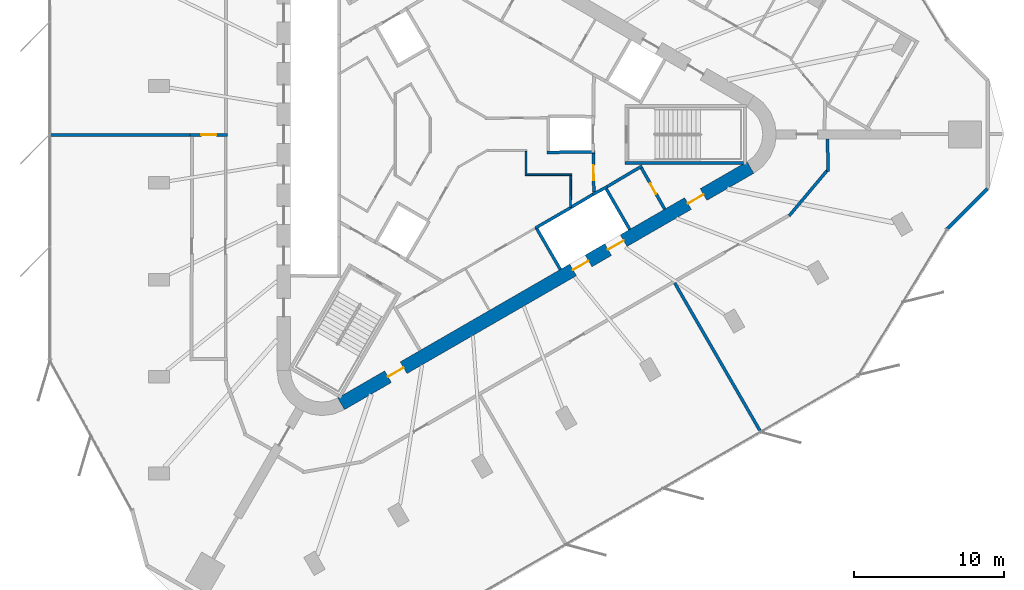
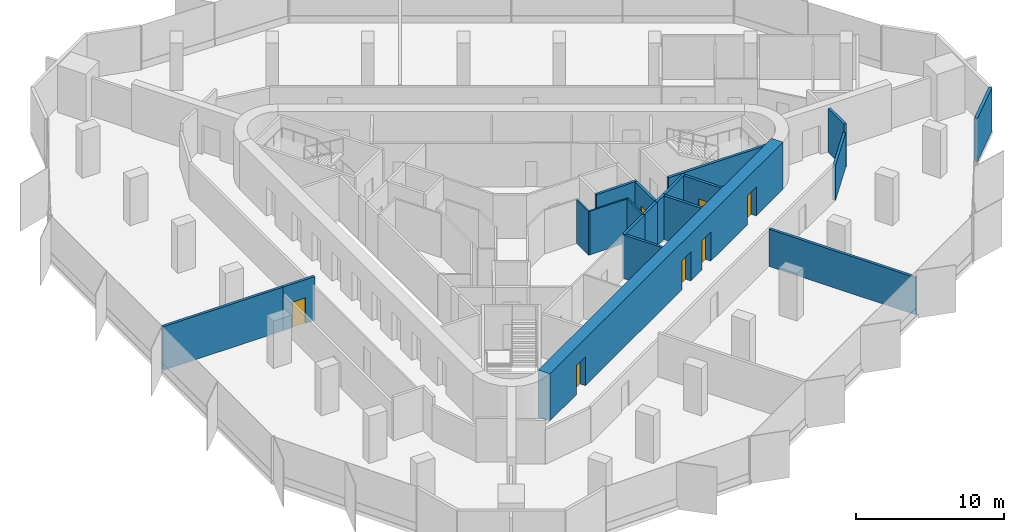
# One storey, part 8 of 12: 20 walls, 7 doors, 7 openings.
"""IFC4 building model written with IfcOpenShell, lengths in metres."""

from ifc_helpers import new_model, si_unit, direction, frame, frame_2d, origin, place, context, subcontext, project, spatial, rectangle, extrude, material, layer, layer_set, type_object, element, fill, save


model = new_model("IFC4")

# Units and contexts
model_context = context("Model", 3, precision=1e-05, world=origin(), true_north=direction((0.0, 1.0)))
body_context = subcontext(model_context, "Body", "Model", "MODEL_VIEW")
ifc_project = project(units=[si_unit("LENGTHUNIT", "METRE"), si_unit("AREAUNIT", "SQUARE_METRE"), si_unit("VOLUMEUNIT", "CUBIC_METRE"), si_unit("PLANEANGLEUNIT", "RADIAN"), si_unit("MASSUNIT", "GRAM", prefix="KILO")], contexts=[model_context])

# Site, building, storey
site_placement = place(None, origin())
site = spatial("IfcSite", under=ifc_project, at=site_placement, CompositionType="ELEMENT")
building_placement = place(site_placement, origin())
building = spatial("IfcBuilding", under=site, at=building_placement, Name="Tanit Gate Tower", CompositionType="ELEMENT")
storey_placement = place(building_placement, frame((0.0, 0.0, 341.60009765625)))
storey = spatial("IfcBuildingStorey", under=building, at=storey_placement, Name="L77", CompositionType="ELEMENT", Elevation=341.60009765625)

# Wall, openings, doors
ifc_material_1 = material(Name="Concrete C40/50", Category="concrete")
ifc_layer_1 = layer(ifc_material_1, 0.89990234375)
ifc_layer_set_1 = layer_set([ifc_layer_1], Name="CORE WALL 900 C40/50")
wall_type_1 = type_object("IfcWallType", Name="CORE WALL 900 C40/50", PredefinedType="SHEAR", material=ifc_layer_set_1)
wall_1_placement = place(storey_placement, frame((-7.824951171875, -17.969970703125, 0.0), z_axis=(0.0, 0.0, 1.0), x_axis=(0.866028369851, 0.499994862586, 0.0)))
wall_1 = element("IfcWall", 1, at=wall_1_placement, inside=storey, type_object=wall_type_1, Name="CORE WALL", PredefinedType="SHEAR", context=body_context, shape_type="SweptSolid", body=[
    extrude(rectangle(XDim=31.523193359375, YDim=0.89990234375, at=frame_2d((15.76171875, 0.0))), origin(), (0.0, 0.0, 1.0), 3.89990234375),
])
opening_1_placement = place(wall_1_placement, frame((17.861572265625, 0.0, 0.0)))
opening_1 = element("IfcOpeningElement", 2, at=opening_1_placement, cuts=wall_1, Name="Opening LDSV1-S21", PredefinedType="OPENING", context=body_context, shape_type="SweptSolid", body=[
    extrude(rectangle(XDim=1.199951171875, YDim=2.39990234375, at=frame_2d((0.60009765625, 1.199951171875))), frame((0.0, 0.4599609375, 0.0), z_axis=(0.0, -1.0, 0.0), x_axis=(1.0, 0.0, 0.0)), (0.0, 0.0, 1.0), 0.919921875),
])
opening_2_placement = place(wall_1_placement, frame((20.561767578125, 0.0, 0.0)))
opening_2 = element("IfcOpeningElement", 3, at=opening_2_placement, cuts=wall_1, Name="Opening LDSV2-S21", PredefinedType="OPENING", context=body_context, shape_type="SweptSolid", body=[
    extrude(rectangle(XDim=1.199951171875, YDim=2.39990234375, at=frame_2d((0.60009765625, 1.199951171875))), frame((0.0, 0.4599609375, 0.0), z_axis=(0.0, -1.0, 0.0), x_axis=(1.0, 0.0, 0.0)), (0.0, 0.0, 1.0), 0.919921875),
])
opening_3_placement = place(wall_1_placement, frame((26.711669921875, 0.0, 0.0)))
opening_3 = element("IfcOpeningElement", 4, at=opening_3_placement, cuts=wall_1, Name="Opening F12-S21-S1", PredefinedType="OPENING", context=body_context, shape_type="SweptSolid", body=[
    extrude(rectangle(XDim=1.199951171875, YDim=2.39990234375, at=frame_2d((0.60009765625, 1.199951171875))), frame((0.0, 0.4599609375, 0.0), z_axis=(0.0, -1.0, 0.0), x_axis=(1.0, 0.0, 0.0)), (0.0, 0.0, 1.0), 0.919921875),
])
opening_4_placement = place(wall_1_placement, frame((3.611572265625, 0.0, 0.0)))
opening_4 = element("IfcOpeningElement", 5, at=opening_4_placement, cuts=wall_1, Name="Opening F12-S21-FL3", PredefinedType="OPENING", context=body_context, shape_type="SweptSolid", body=[
    extrude(rectangle(XDim=1.199951171875, YDim=2.39990234375, at=frame_2d((0.60009765625, 1.199951171875))), frame((0.0, 0.4599609375, 0.0), z_axis=(0.0, -1.0, 0.0), x_axis=(1.0, 0.0, 0.0)), (0.0, 0.0, 1.0), 0.919921875),
])
ifc_material_2 = material(Name="Fire-rated steel door leaf", Category="steel")
door_type_1 = type_object("IfcDoorType", Name="INT-DOOR-FIRE-LOBBY-1200", OperationType="NOTDEFINED", PredefinedType="USERDEFINED", material=ifc_material_2)
door_1_placement = place(opening_3_placement, origin())
door_1 = element("IfcDoor", 6, at=door_1_placement, inside=storey, type_object=door_type_1, Name="Door F12-S21-S1", ObjectType="FIRE DOOR", OperationType="SINGLE_SWING_RIGHT", OverallHeight=2.39990234375, OverallWidth=1.199951171875, PredefinedType="USERDEFINED", context=body_context, shape_type="SweptSolid", body=[
    extrude(rectangle(XDim=1.199951171875, YDim=2.39990234375, at=frame_2d((0.60009765625, 1.199951171875))), frame((0.0, 0.02490234375, 0.0), z_axis=(0.0, -1.0, 0.0), x_axis=(1.0, 0.0, 0.0)), (0.0, 0.0, 1.0), 0.050048828125),
])
fill(opening_3, door_1)
door_2_placement = place(opening_4_placement, origin())
door_2 = element("IfcDoor", 7, at=door_2_placement, inside=storey, type_object=door_type_1, Name="Door F12-S21-FL3", ObjectType="FIRE DOOR", OperationType="SINGLE_SWING_RIGHT", OverallHeight=2.39990234375, OverallWidth=1.199951171875, PredefinedType="USERDEFINED", context=body_context, shape_type="SweptSolid", body=[
    extrude(rectangle(XDim=1.199951171875, YDim=2.39990234375, at=frame_2d((0.60009765625, 1.199951171875))), frame((0.0, 0.02490234375, 0.0), z_axis=(0.0, -1.0, 0.0), x_axis=(1.0, 0.0, 0.0)), (0.0, 0.0, 1.0), 0.050048828125),
])
fill(opening_4, door_2)
ifc_material_3 = material(Name="Stainless steel sliding door leaf", Category="steel")
door_type_2 = type_object("IfcDoorType", Name="INT-DOOR-LANDING-1200", OperationType="NOTDEFINED", PredefinedType="USERDEFINED", material=ifc_material_3)
door_3_placement = place(opening_1_placement, origin())
door_3 = element("IfcDoor", 8, at=door_3_placement, inside=storey, type_object=door_type_2, Name="Door LDSV1-S21", ObjectType="LANDING DOOR", OperationType="SLIDING_TO_LEFT", OverallHeight=2.39990234375, OverallWidth=1.199951171875, PredefinedType="USERDEFINED", context=body_context, shape_type="SweptSolid", body=[
    extrude(rectangle(XDim=1.199951171875, YDim=2.39990234375, at=frame_2d((0.60009765625, 1.199951171875))), frame((0.0, 0.02490234375, 0.0), z_axis=(0.0, -1.0, 0.0), x_axis=(1.0, 0.0, 0.0)), (0.0, 0.0, 1.0), 0.050048828125),
])
fill(opening_1, door_3)
door_4_placement = place(opening_2_placement, origin())
door_4 = element("IfcDoor", 9, at=door_4_placement, inside=storey, type_object=door_type_2, Name="Door LDSV2-S21", ObjectType="LANDING DOOR", OperationType="SLIDING_TO_LEFT", OverallHeight=2.39990234375, OverallWidth=1.199951171875, PredefinedType="USERDEFINED", context=body_context, shape_type="SweptSolid", body=[
    extrude(rectangle(XDim=1.199951171875, YDim=2.39990234375, at=frame_2d((0.60009765625, 1.199951171875))), frame((0.0, 0.02490234375, 0.0), z_axis=(0.0, -1.0, 0.0), x_axis=(1.0, 0.0, 0.0)), (0.0, 0.0, 1.0), 0.050048828125),
])
fill(opening_2, door_4)

# Walls
ifc_material_4 = material(Name="Concrete C30/37 with bronze anodised aluminium cladding", Category="concrete")
ifc_layer_2 = layer(ifc_material_4, 0.239990234375)
ifc_layer_set_2 = layer_set([ifc_layer_2], Name="Facade wall bronze clad 240")
wall_type_2 = type_object("IfcWallType", Name="Facade wall bronze clad 240", PredefinedType="SOLIDWALL", material=ifc_layer_set_2)
wall_2_placement = place(storey_placement, frame((32.60791015625, -6.306396484375, 0.0), z_axis=(0.0, 0.0, 1.0), x_axis=(0.707138934827, 0.707074626084, 0.0)))
element("IfcWall", 10, at=wall_2_placement, inside=storey, type_object=wall_type_2, Name="Bronze-clad facade wall L77 E.arc1", PredefinedType="SOLIDWALL", context=body_context, shape_type="SweptSolid", body=[
    extrude(rectangle(XDim=3.79638671875, YDim=0.239990234375, at=frame_2d((1.898193359375, 0.0))), origin(), (0.0, 0.0, 1.0), 3.599853515625),
])
ifc_material_5 = material(Name="Fire-rated gypsum board partition")
ifc_layer_3 = layer(ifc_material_5, 0.199951171875)
ifc_layer_set_3 = layer_set([ifc_layer_3], Name="INT-WALL-COMPARTMENT")
wall_type_3 = type_object("IfcWallType", Name="INT-WALL-COMPARTMENT", PredefinedType="PARTITIONING", material=ifc_layer_set_3)
wall_3_placement = place(storey_placement, frame((12.244873046875, -2.10888671875, 0.0), z_axis=(0.0, 0.0, 1.0), x_axis=(-0.860414880418, -0.509594185166, 0.0)))
element("IfcWall", 11, at=wall_3_placement, inside=storey, type_object=wall_type_3, Name="Wall Compartment W057", PredefinedType="PARTITIONING", context=body_context, shape_type="SweptSolid", body=[
    extrude(rectangle(XDim=2.7001953125, YDim=0.199951171875, at=frame_2d((1.35009765625, 0.0))), origin(), (0.0, 0.0, 1.0), 3.599853515625),
])

# Wall, opening, door
wall_4_placement = place(storey_placement, frame((13.758056640625, -4.989501953125, 0.0), z_axis=(0.0, 0.0, 1.0), x_axis=(-0.491993409184, 0.87059892334, 0.0)))
wall_4 = element("IfcWall", 12, at=wall_4_placement, inside=storey, type_object=wall_type_3, Name="Wall Compartment W058", PredefinedType="PARTITIONING", context=body_context, shape_type="SweptSolid", body=[
    extrude(rectangle(XDim=3.150146484375, YDim=0.199951171875, at=frame_2d((1.5751953125, 0.0))), origin(), (0.0, 0.0, 1.0), 3.599853515625),
])
opening_5_placement = place(wall_4_placement, frame((1.175048828125, 0.0, 0.0)))
opening_5 = element("IfcOpeningElement", 13, at=opening_5_placement, cuts=wall_4, Name="Opening R08-S21-19", PredefinedType="OPENING", context=body_context, shape_type="SweptSolid", body=[
    extrude(rectangle(XDim=0.800048828125, YDim=2.10009765625, at=frame_2d((0.39990234375, 1.050048828125))), frame((0.0, 0.10986328125, 0.0), z_axis=(0.0, -1.0, 0.0), x_axis=(1.0, 0.0, 0.0)), (0.0, 0.0, 1.0), 0.219970703125),
])
ifc_material_6 = material(Name="Timber door leaf", Category="wood")
door_type_3 = type_object("IfcDoorType", Name="INT-DOOR-RISER-800", OperationType="NOTDEFINED", PredefinedType="USERDEFINED", material=ifc_material_6)
door_5_placement = place(opening_5_placement, origin())
door_5 = element("IfcDoor", 14, at=door_5_placement, inside=storey, type_object=door_type_3, Name="Door R08-S21-19", ObjectType="FIRE DOOR", OperationType="SINGLE_SWING_LEFT", OverallHeight=2.10009765625, OverallWidth=0.800048828125, PredefinedType="USERDEFINED", context=body_context, shape_type="SweptSolid", body=[
    extrude(rectangle(XDim=0.800048828125, YDim=2.10009765625, at=frame_2d((0.39990234375, 1.050048828125))), frame((0.0, 0.02490234375, 0.0), z_axis=(0.0, -1.0, 0.0), x_axis=(1.0, 0.0, 0.0)), (0.0, 0.0, 1.0), 0.050048828125),
])
fill(opening_5, door_5)

wall_5_placement = place(storey_placement, frame((9.02880859375, -3.850830078125, 0.0), z_axis=(0.0, 0.0, 1.0), x_axis=(-0.010783593937, 0.99994185536, 0.0)))
wall_5 = element("IfcWall", 15, at=wall_5_placement, inside=storey, type_object=wall_type_3, Name="Wall Compartment W060", PredefinedType="PARTITIONING", context=body_context, shape_type="SweptSolid", body=[
    extrude(rectangle(XDim=2.5810546875, YDim=0.199951171875, at=frame_2d((1.29052734375, 0.0))), origin(), (0.0, 0.0, 1.0), 3.599853515625),
])
opening_6_placement = place(wall_5_placement, frame((0.79052734375, 0.0, 0.0)))
opening_6 = element("IfcOpeningElement", 16, at=opening_6_placement, cuts=wall_5, Name="Opening F10-S21-02", PredefinedType="OPENING", context=body_context, shape_type="SweptSolid", body=[
    extrude(rectangle(XDim=1.0, YDim=2.10009765625, at=frame_2d((0.5, 1.050048828125))), frame((0.0, 0.10986328125, 0.0), z_axis=(0.0, -1.0, 0.0), x_axis=(1.0, 0.0, 0.0)), (0.0, 0.0, 1.0), 0.219970703125),
])
ifc_material_7 = material(Name="Fire-rated steel door leaf", Category="steel")
door_type_4 = type_object("IfcDoorType", Name="INT-DOOR-FIRE-1000", OperationType="NOTDEFINED", PredefinedType="USERDEFINED", material=ifc_material_7)
door_6_placement = place(opening_6_placement, origin())
door_6 = element("IfcDoor", 17, at=door_6_placement, inside=storey, type_object=door_type_4, Name="Door F10-S21-02", ObjectType="FIRE DOOR", OperationType="SINGLE_SWING_LEFT", OverallHeight=2.10009765625, OverallWidth=1.0, PredefinedType="USERDEFINED", context=body_context, shape_type="SweptSolid", body=[
    extrude(rectangle(XDim=1.0, YDim=2.10009765625, at=frame_2d((0.5, 1.050048828125))), frame((0.0, 0.02490234375, 0.0), z_axis=(0.0, -1.0, 0.0), x_axis=(1.0, 0.0, 0.0)), (0.0, 0.0, 1.0), 0.050048828125),
])
fill(opening_6, door_6)

wall_6_placement = place(storey_placement, frame((-15.39990234375, -0.030029296875, 0.0), z_axis=(0.0, 0.0, 1.0), x_axis=(-0.999999957085, -0.000292968737, 0.0)))
wall_6 = element("IfcWall", 18, at=wall_6_placement, inside=storey, type_object=wall_type_3, Name="Wall Compartment W087", PredefinedType="PARTITIONING", context=body_context, shape_type="SweptSolid", body=[
    extrude(rectangle(XDim=2.5, YDim=0.199951171875, at=frame_2d((1.25, 0.0))), origin(), (0.0, 0.0, 1.0), 3.599853515625),
])
opening_7_placement = place(wall_6_placement, frame((0.75, 0.0, 0.0)))
opening_7 = element("IfcOpeningElement", 19, at=opening_7_placement, cuts=wall_6, Name="Opening F10-S21-27", PredefinedType="OPENING", context=body_context, shape_type="SweptSolid", body=[
    extrude(rectangle(XDim=1.0, YDim=2.10009765625, at=frame_2d((0.5, 1.050048828125))), frame((0.0, 0.10986328125, 0.0), z_axis=(0.0, -1.0, 0.0), x_axis=(1.0, 0.0, 0.0)), (0.0, 0.0, 1.0), 0.219970703125),
])
door_7_placement = place(opening_7_placement, origin())
door_7 = element("IfcDoor", 20, at=door_7_placement, inside=storey, type_object=door_type_4, Name="Door F10-S21-27", ObjectType="FIRE DOOR", OperationType="SINGLE_SWING_LEFT", OverallHeight=2.10009765625, OverallWidth=1.0, PredefinedType="USERDEFINED", context=body_context, shape_type="SweptSolid", body=[
    extrude(rectangle(XDim=1.0, YDim=2.10009765625, at=frame_2d((0.5, 1.050048828125))), frame((0.0, 0.02490234375, 0.0), z_axis=(0.0, -1.0, 0.0), x_axis=(1.0, 0.0, 0.0)), (0.0, 0.0, 1.0), 0.050048828125),
])
fill(opening_7, door_7)

# Walls
wall_7_placement = place(storey_placement, frame((24.647705078125, -2.46240234375, 0.0), z_axis=(0.0, 0.0, 1.0), x_axis=(-0.012757232068, 0.999918623204, 0.0)))
element("IfcWall", 21, at=wall_7_placement, inside=storey, type_object=wall_type_3, Name="Wall Compartment W102", PredefinedType="PARTITIONING", context=body_context, shape_type="SweptSolid", body=[
    extrude(rectangle(XDim=2.16259765625, YDim=0.199951171875, at=frame_2d((1.081298828125, 0.0))), origin(), (0.0, 0.0, 1.0), 3.599853515625),
])
wall_8_placement = place(storey_placement, frame((22.05419921875, -5.435302734375, 0.0), z_axis=(0.0, 0.0, 1.0), x_axis=(0.642790979996, 0.766041615081, 0.0)))
element("IfcWall", 22, at=wall_8_placement, inside=storey, type_object=wall_type_3, Name="Wall Compartment W103", PredefinedType="PARTITIONING", context=body_context, shape_type="SweptSolid", body=[
    extrude(rectangle(XDim=3.9833984375, YDim=0.199951171875, at=frame_2d((1.99169921875, 0.0))), origin(), (0.0, 0.0, 1.0), 2.8798828125),
])
wall_9_placement = place(storey_placement, frame((-27.2578125, -0.030029296875, 0.0), z_axis=(0.0, 0.0, 1.0), x_axis=(0.999999996937, -7.8267675e-05, 0.0)))
element("IfcWall", 23, at=wall_9_placement, inside=storey, type_object=wall_type_3, Name="Wall Compartment W109", PredefinedType="PARTITIONING", context=body_context, shape_type="SweptSolid", body=[
    extrude(rectangle(XDim=9.35791015625, YDim=0.199951171875, at=frame_2d((4.678955078125, 0.0))), origin(), (0.0, 0.0, 1.0), 3.599853515625),
])
wall_10_placement = place(storey_placement, frame((14.42529296875, -9.915771484375, 0.0), z_axis=(0.0, 0.0, 1.0), x_axis=(0.499943167381, -0.866058213626, 0.0)))
element("IfcWall", 24, at=wall_10_placement, inside=storey, type_object=wall_type_3, Name="Wall Compartment W124", PredefinedType="PARTITIONING", context=body_context, shape_type="SweptSolid", body=[
    extrude(rectangle(XDim=11.458251953125, YDim=0.199951171875, at=frame_2d((5.72900390625, 0.0))), origin(), (0.0, 0.0, 1.0), 3.06982421875),
])
ifc_material_8 = material(Name="Gypsum board partition")
ifc_layer_4 = layer(ifc_material_8, 0.1201171875)
ifc_layer_set_4 = layer_set([ifc_layer_4], Name="INT-WALL-PARTITION")
wall_type_4 = type_object("IfcWallType", Name="INT-WALL-PARTITION", PredefinedType="PARTITIONING", material=ifc_layer_set_4)
wall_11_placement = place(storey_placement, frame((4.5, -2.760009765625, 0.0), z_axis=(0.0, 0.0, 1.0), x_axis=(0.0, 1.0, 0.0)))
element("IfcWall", 25, at=wall_11_placement, inside=storey, type_object=wall_type_4, Name="Wall Partition W071", PredefinedType="PARTITIONING", context=body_context, shape_type="SweptSolid", body=[
    extrude(rectangle(XDim=1.625, YDim=0.1201171875, at=frame_2d((0.8125, 0.0))), origin(), (0.0, 0.0, 1.0), 3.599853515625),
])
wall_12_placement = place(storey_placement, frame((7.56005859375, -2.699951171875, 0.0), z_axis=(0.0, 0.0, 1.0), x_axis=(-1.0, 0.0, 0.0)))
element("IfcWall", 26, at=wall_12_placement, inside=storey, type_object=wall_type_4, Name="Wall Partition W072", PredefinedType="PARTITIONING", context=body_context, shape_type="SweptSolid", body=[
    extrude(rectangle(XDim=3.0, YDim=0.1201171875, at=frame_2d((1.5, 0.0))), origin(), (0.0, 0.0, 1.0), 3.599853515625),
])
wall_13_placement = place(storey_placement, frame((7.474609375, -4.864501953125, 0.0), z_axis=(0.0, 0.0, 1.0), x_axis=(0.011716133148, 0.999931363757, 0.0)))
element("IfcWall", 27, at=wall_13_placement, inside=storey, type_object=wall_type_4, Name="Wall Partition W073", PredefinedType="PARTITIONING", context=body_context, shape_type="SweptSolid", body=[
    extrude(rectangle(XDim=2.104736328125, YDim=0.1201171875, at=frame_2d((1.05224609375, 0.0))), origin(), (0.0, 0.0, 1.0), 3.599853515625),
])
ifc_material_9 = material(Name="Gypsum shaft wall system")
ifc_layer_5 = layer(ifc_material_9, 0.199951171875)
ifc_layer_set_5 = layer_set([ifc_layer_5], Name="INT-WALL-SHAFT")
wall_type_5 = type_object("IfcWallType", Name="INT-WALL-SHAFT", PredefinedType="PLUMBINGWALL", material=ifc_layer_set_5)
wall_14_placement = place(storey_placement, frame((6.795166015625, -9.009521484375, 0.0), z_axis=(0.0, 0.0, 1.0), x_axis=(-0.499984717929, 0.866034226713, 0.0)))
element("IfcWall", 28, at=wall_14_placement, inside=storey, type_object=wall_type_5, Name="Wall Shaft W015", PredefinedType="PLUMBINGWALL", context=body_context, shape_type="SweptSolid", body=[
    extrude(rectangle(XDim=3.25, YDim=0.199951171875, at=frame_2d((1.625, 0.0))), origin(), (0.0, 0.0, 1.0), 3.599853515625),
])
wall_15_placement = place(storey_placement, frame((5.1591796875, -6.23583984375, 0.0), z_axis=(0.0, 0.0, 1.0), x_axis=(0.866036505625, 0.499980770555, 0.0)))
element("IfcWall", 29, at=wall_15_placement, inside=storey, type_object=wall_type_5, Name="Wall Shaft W016", PredefinedType="PLUMBINGWALL", context=body_context, shape_type="SweptSolid", body=[
    extrude(rectangle(XDim=2.69970703125, YDim=0.199951171875, at=frame_2d((1.349853515625, 0.0))), origin(), (0.0, 0.0, 1.0), 3.599853515625),
])
wall_16_placement = place(storey_placement, frame((9.794677734375, -3.52490234375, 0.0), z_axis=(0.0, 0.0, 1.0), x_axis=(0.499984717929, -0.866034226713, 0.0)))
element("IfcWall", 30, at=wall_16_placement, inside=storey, type_object=wall_type_5, Name="Wall Shaft W017", PredefinedType="PLUMBINGWALL", context=body_context, shape_type="SweptSolid", body=[
    extrude(rectangle(XDim=3.25, YDim=0.199951171875, at=frame_2d((1.625, 0.0))), origin(), (0.0, 0.0, 1.0), 3.599853515625),
])
wall_17_placement = place(storey_placement, frame((8.97412109375, -3.998779296875, 0.0), z_axis=(0.0, 0.0, 1.0), x_axis=(0.880907015104, 0.473289373154, 0.0)))
element("IfcWall", 31, at=wall_17_placement, inside=storey, type_object=wall_type_5, Name="Wall Shaft W018", PredefinedType="PLUMBINGWALL", context=body_context, shape_type="SweptSolid", body=[
    extrude(rectangle(XDim=1.078125, YDim=0.199951171875, at=frame_2d((0.5390625, 0.0))), origin(), (0.0, 0.0, 1.0), 3.599853515625),
])
wall_18_placement = place(storey_placement, frame((7.4931640625, -4.87841796875, 0.0), z_axis=(0.0, 0.0, 1.0), x_axis=(0.859981807212, 0.510324691999, 0.0)))
element("IfcWall", 32, at=wall_18_placement, inside=storey, type_object=wall_type_5, Name="Wall Shaft W019", PredefinedType="PLUMBINGWALL", context=body_context, shape_type="SweptSolid", body=[
    extrude(rectangle(XDim=1.8447265625, YDim=0.199951171875, at=frame_2d((0.92236328125, 0.0))), origin(), (0.0, 0.0, 1.0), 3.599853515625),
])
wall_19_placement = place(storey_placement, frame((5.89990234375, -1.200927734375, 0.0), z_axis=(0.0, 0.0, 1.0), x_axis=(0.999950064753, 0.009993397809, 0.0)))
element("IfcWall", 33, at=wall_19_placement, inside=storey, type_object=wall_type_5, Name="Wall Shaft W026", PredefinedType="PLUMBINGWALL", context=body_context, shape_type="SweptSolid", body=[
    extrude(rectangle(XDim=3.200439453125, YDim=0.199951171875, at=frame_2d((1.60009765625, 0.0))), origin(), (0.0, 0.0, 1.0), 3.599853515625),
])
ifc_material_10 = material(Name="Concrete C40/50", Category="concrete")
ifc_layer_6 = layer(ifc_material_10, 0.199951171875)
ifc_layer_set_6 = layer_set([ifc_layer_6], Name="INT-WALL-STAIR")
wall_type_6 = type_object("IfcWallType", Name="INT-WALL-STAIR", PredefinedType="SHEAR", material=ifc_layer_set_6)
wall_20_placement = place(storey_placement, frame((11.10009765625, -1.89990234375, -0.300048828125), z_axis=(0.0, 0.0, 1.0), x_axis=(1.0, 0.0, 0.0)))
element("IfcWall", 34, at=wall_20_placement, inside=storey, type_object=wall_type_6, Name="Wall Stair W022", PredefinedType="SHEAR", context=body_context, shape_type="SweptSolid", body=[
    extrude(rectangle(XDim=7.89990234375, YDim=0.199951171875, at=frame_2d((3.949951171875, 0.0))), origin(), (0.0, 0.0, 1.0), 3.89990234375),
])

save(model, "model.ifc")
